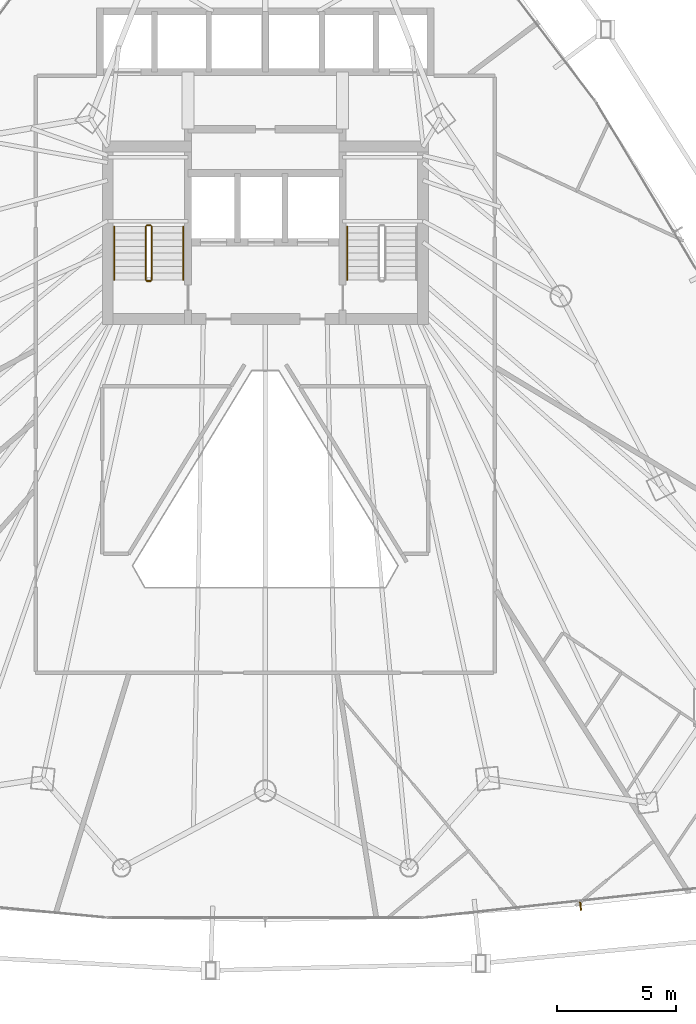
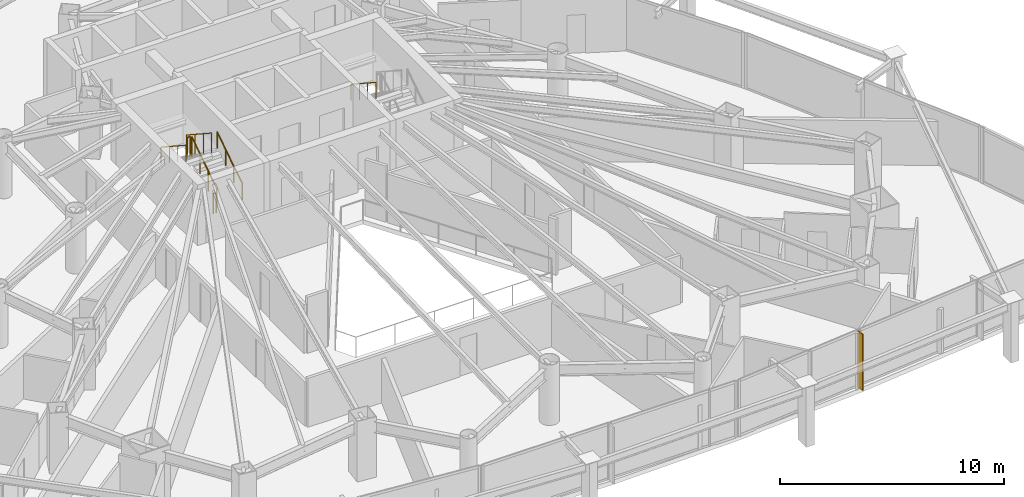
# One storey, part 36 of 38: 7 railings, 1 shading device.
"""IFC4 building model written with IfcOpenShell, lengths in metres."""

from ifc_helpers import new_model, si_unit, direction, frame, origin, origin_2d, place, context, subcontext, project, spatial, rectangle, circle, extrude, material, layer, layer_set, type_object, element, save


model = new_model("IFC4")

# Units and contexts
model_context = context("Model", 3, precision=1e-05, world=origin(), true_north=direction((0.0, 1.0)))
body_context = subcontext(model_context, "Body", "Model", "MODEL_VIEW")
ifc_project = project(units=[si_unit("LENGTHUNIT", "METRE"), si_unit("AREAUNIT", "SQUARE_METRE"), si_unit("VOLUMEUNIT", "CUBIC_METRE"), si_unit("PLANEANGLEUNIT", "RADIAN"), si_unit("MASSUNIT", "GRAM", prefix="KILO")], contexts=[model_context])

# Site, building, storey
site_placement = place(None, origin())
site = spatial("IfcSite", under=ifc_project, at=site_placement, CompositionType="ELEMENT")
building_placement = place(site_placement, origin())
building = spatial("IfcBuilding", under=site, at=building_placement, Name="Orvanel Arch Residences", CompositionType="ELEMENT")
storey_placement = place(building_placement, frame((0.0, 0.0, 50.0)))
storey = spatial("IfcBuildingStorey", under=building, at=storey_placement, Name="L13", CompositionType="ELEMENT", Elevation=50.0)

# Shading device
ifc_material_1 = material(Name="Bronze-anodised aluminium AA6063-T6", Category="aluminium")
ifc_layer = layer(ifc_material_1, 0.06005859375)
ifc_layer_set = layer_set([ifc_layer], Name="Bronze-anodised aluminium AA6063-T6")
shading_device_type = type_object("IfcShadingDeviceType", Name="FIN-BRZ-380", PredefinedType="USERDEFINED", material=ifc_layer_set)
shading_device_placement = place(storey_placement, frame((46.251953125, 2.0048828125, 0.0), z_axis=(0.0, 0.0, 1.0), x_axis=(0.106264071336, -0.994337944133, 0.0)))
element("IfcShadingDevice", 1, at=shading_device_placement, inside=storey, type_object=shading_device_type, Name="L13 Anodised Bronze Mullion FIN 01", ObjectType="FIN", PredefinedType="USERDEFINED", context=body_context, shape_type="SweptSolid", body=[
    extrude(rectangle(XDim=0.3798828125, YDim=0.06005859375, at=origin_2d()), origin(), (0.0, 0.0, 1.0), 3.06005859375),
])

# Railings
ifc_material_2 = material(Name="Structural steel AS/NZS 1163 C350L0 (Grade 350)", Category="steel")
railing_type_1 = type_object("IfcRailingType", Name="RL-STAIR-GUARD", PredefinedType="GUARDRAIL", material=ifc_material_2)
railing_1_placement = place(storey_placement, frame((28.22998046875, 28.320068359375, 0.183349609375)))
element("IfcRailing", 2, at=railing_1_placement, inside=storey, type_object=railing_type_1, Name="L13 ST-1 stair guard 1", PredefinedType="GUARDRAIL", context=body_context, shape_type="SweptSolid", body=[
    extrude(circle(Radius=0.02392578125, at=origin_2d()), frame((0.0, 0.001220703125, 1.076904296875), z_axis=(0.0, 0.836636935527, 0.547757827979), x_axis=(-1.0, 0.0, 0.0)), (0.0, 0.0, 1.0), 2.67431640625),
    extrude(circle(Radius=0.02099609375, at=origin_2d()), origin(), (0.0, 0.0, 1.0), 1.050048828125),
    extrude(circle(Radius=0.02099609375, at=origin_2d()), frame((0.0, 0.74658203125, 0.48876953125)), (0.0, 0.0, 1.0), 1.050048828125),
    extrude(circle(Radius=0.02099609375, at=origin_2d()), frame((0.0, 1.493408203125, 0.977783203125)), (0.0, 0.0, 1.0), 1.050048828125),
    extrude(circle(Radius=0.02099609375, at=origin_2d()), frame((0.0, 2.239990234375, 1.466552734375)), (0.0, 0.0, 1.0), 1.050048828125),
])
railing_2_placement = place(storey_placement, frame((28.179931640625, 30.610107421875, 1.64990234375)))
element("IfcRailing", 3, at=railing_2_placement, inside=storey, type_object=railing_type_1, Name="L13 ST-1 stair guard 2", PredefinedType="GUARDRAIL", context=body_context, shape_type="SweptSolid", body=[
    extrude(circle(Radius=0.02392578125, at=origin_2d()), frame((-0.00146484375, 0.0, 1.076171875), z_axis=(-1.0, 0.0, 0.0), x_axis=(0.0, -1.0, 0.0)), (0.0, 0.0, 1.0), 0.156982421875),
    extrude(circle(Radius=0.02099609375, at=origin_2d()), origin(), (0.0, 0.0, 1.0), 1.050048828125),
    extrude(circle(Radius=0.02099609375, at=origin_2d()), frame((-0.159912109375, 0.0, 0.0)), (0.0, 0.0, 1.0), 1.050048828125),
])
railing_3_placement = place(storey_placement, frame((27.969970703125, 30.56005859375, 1.833251953125)))
element("IfcRailing", 4, at=railing_3_placement, inside=storey, type_object=railing_type_1, Name="L13 ST-1 stair guard 3", PredefinedType="GUARDRAIL", context=body_context, shape_type="SweptSolid", body=[
    extrude(circle(Radius=0.02392578125, at=origin_2d()), frame((0.0, -0.001220703125, 1.076904296875), z_axis=(0.0, -0.836595146698, 0.547821650285), x_axis=(1.0, 0.0, 0.0)), (0.0, 0.0, 1.0), 2.674560546875),
    extrude(circle(Radius=0.02099609375, at=origin_2d()), origin(), (0.0, 0.0, 1.0), 1.050048828125),
    extrude(circle(Radius=0.02099609375, at=origin_2d()), frame((0.0, -0.74658203125, 0.489013671875)), (0.0, 0.0, 1.0), 1.050048828125),
    extrude(circle(Radius=0.02099609375, at=origin_2d()), frame((0.0, -1.493408203125, 0.977783203125)), (0.0, 0.0, 1.0), 1.050048828125),
    extrude(circle(Radius=0.02099609375, at=origin_2d()), frame((0.0, -2.239990234375, 1.466796875)), (0.0, 0.0, 1.0), 1.050048828125),
])
railing_4_placement = place(storey_placement, frame((28.179931640625, 28.27001953125, 0.0)))
element("IfcRailing", 5, at=railing_4_placement, inside=storey, type_object=railing_type_1, Name="L13 ST-1 stair guard 4", PredefinedType="GUARDRAIL", context=body_context, shape_type="SweptSolid", body=[
    extrude(circle(Radius=0.02392578125, at=origin_2d()), frame((-0.00146484375, 0.0, 1.076171875), z_axis=(-1.0, 0.0, 0.0), x_axis=(0.0, -1.0, 0.0)), (0.0, 0.0, 1.0), 0.156982421875),
    extrude(circle(Radius=0.02099609375, at=origin_2d()), origin(), (0.0, 0.0, 1.0), 1.050048828125),
    extrude(circle(Radius=0.02099609375, at=origin_2d()), frame((-0.159912109375, 0.0, 0.0)), (0.0, 0.0, 1.0), 1.050048828125),
])
railing_type_2 = type_object("IfcRailingType", Name="RL-STAIR-HAND", PredefinedType="HANDRAIL", material=ifc_material_2)
railing_5_placement = place(storey_placement, frame((29.550048828125, 28.320068359375, 0.183349609375)))
element("IfcRailing", 6, at=railing_5_placement, inside=storey, type_object=railing_type_2, Name="L13 ST-1 stair handrail 1", PredefinedType="HANDRAIL", context=body_context, shape_type="SweptSolid", body=[
    extrude(circle(Radius=0.02392578125, at=origin_2d()), frame((0.0, 0.001220703125, 0.876708984375), z_axis=(0.0, 0.836636935527, 0.547757827979), x_axis=(-1.0, 0.0, 0.0)), (0.0, 0.0, 1.0), 2.67431640625),
    extrude(circle(Radius=0.02099609375, at=origin_2d()), origin(), (0.0, 0.0, 1.0), 0.849853515625),
    extrude(circle(Radius=0.02099609375, at=origin_2d()), frame((0.0, 0.74658203125, 0.48876953125)), (0.0, 0.0, 1.0), 0.849853515625),
    extrude(circle(Radius=0.02099609375, at=origin_2d()), frame((0.0, 1.493408203125, 0.977783203125)), (0.0, 0.0, 1.0), 0.849853515625),
    extrude(circle(Radius=0.02099609375, at=origin_2d()), frame((0.0, 2.239990234375, 1.466552734375)), (0.0, 0.0, 1.0), 0.849853515625),
])
for number, where, name in (
    (7, (26.64990234375, 30.56005859375, 1.833251953125), "L13 ST-1 stair handrail 2"),
    (8, (36.449951171875, 30.56005859375, 1.833251953125), "L13 ST-2 stair handrail 2"),
):
    element("IfcRailing", number, at=place(storey_placement, frame(where)), inside=storey, type_object=railing_type_2, Name=name, PredefinedType="HANDRAIL", context=body_context, shape_type="SweptSolid", body=[
        extrude(circle(Radius=0.02392578125, at=origin_2d()), frame((0.0, -0.001220703125, 0.876708984375), z_axis=(0.0, -0.836595146698, 0.547821650285), x_axis=(1.0, 0.0, 0.0)), (0.0, 0.0, 1.0), 2.674560546875),
        extrude(circle(Radius=0.02099609375, at=origin_2d()), origin(), (0.0, 0.0, 1.0), 0.849853515625),
        extrude(circle(Radius=0.02099609375, at=origin_2d()), frame((0.0, -0.74658203125, 0.489013671875)), (0.0, 0.0, 1.0), 0.849853515625),
        extrude(circle(Radius=0.02099609375, at=origin_2d()), frame((0.0, -1.493408203125, 0.977783203125)), (0.0, 0.0, 1.0), 0.849853515625),
        extrude(circle(Radius=0.02099609375, at=origin_2d()), frame((0.0, -2.239990234375, 1.466796875)), (0.0, 0.0, 1.0), 0.849853515625),
    ])

save(model, "model.ifc")
